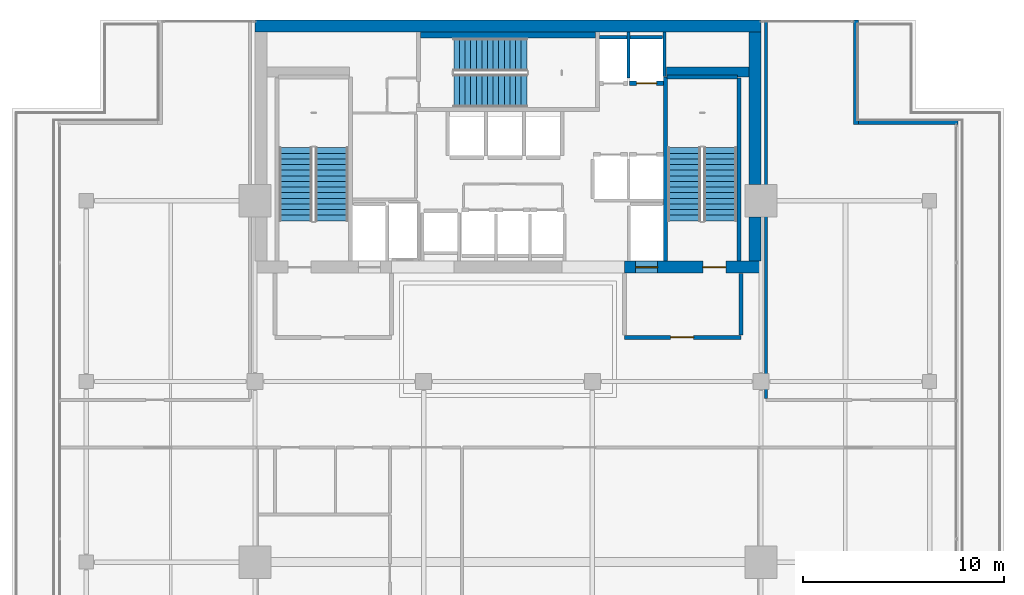
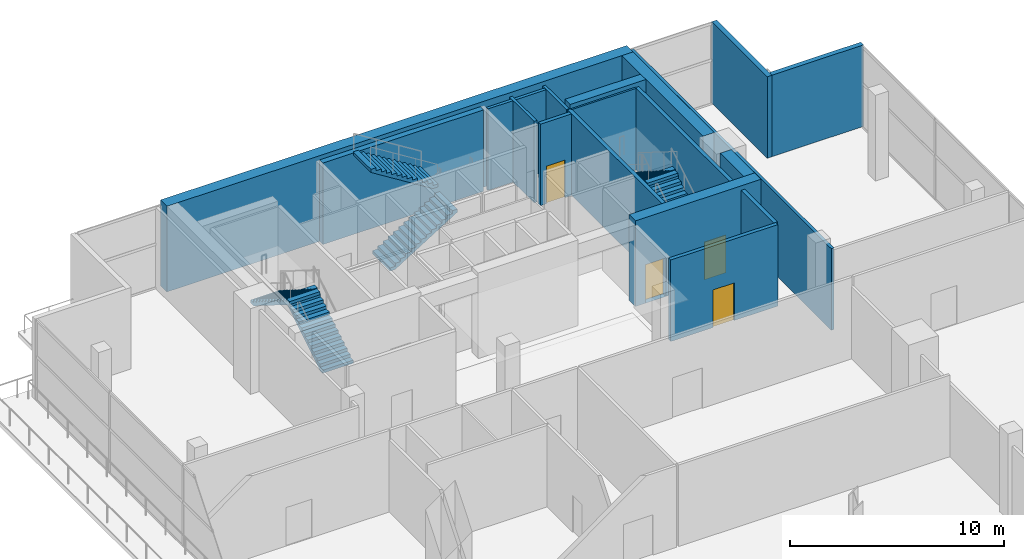
# One storey, part 24 of 28: 18 walls, 6 stair flights, 4 doors, 4 openings, 3 elements without a shape of their own.
"""IFC4 building model written with IfcOpenShell, lengths in metres."""

from ifc_helpers import new_model, si_unit, direction, frame, frame_2d, origin, place, context, subcontext, project, spatial, polyline, rectangle, outline, extrude, material, layer, layer_set, type_object, element, fill, aggregate, save


model = new_model("IFC4")

# Units and contexts
model_context = context("Model", 3, precision=1e-05, world=origin(), true_north=direction((0.0, 1.0)))
body_context = subcontext(model_context, "Body", "Model", "MODEL_VIEW")
ifc_project = project(units=[si_unit("LENGTHUNIT", "METRE"), si_unit("AREAUNIT", "SQUARE_METRE"), si_unit("VOLUMEUNIT", "CUBIC_METRE"), si_unit("PLANEANGLEUNIT", "RADIAN"), si_unit("MASSUNIT", "GRAM", prefix="KILO")], contexts=[model_context])

# Site, building, storey
site_placement = place(None, origin())
site = spatial("IfcSite", under=ifc_project, at=site_placement, CompositionType="ELEMENT")
building_placement = place(site_placement, origin())
building = spatial("IfcBuilding", under=site, at=building_placement, Name="Maruvema Waterfront Hotel and Observation Tower", CompositionType="ELEMENT")
storey_placement = place(building_placement, frame((0.0, 0.0, 234.5)))
storey = spatial("IfcBuildingStorey", under=building, at=storey_placement, Name="L57", CompositionType="ELEMENT", Elevation=234.5)

# Walls
ifc_material_1 = material(Name="Twin-stud acoustic gypsum drywall", Category="gypsum")
ifc_layer_1 = layer(ifc_material_1, 0.14990234375, Name="Acoustic Corridor and Suite Demising Wall 150 mm")
ifc_layer_set_1 = layer_set([ifc_layer_1], Name="Twin-stud acoustic gypsum drywall")
wall_type_1 = type_object("IfcWallType", Name="Acoustic Corridor and Suite Demising Wall 150 mm", PredefinedType="PARTITIONING", material=ifc_layer_set_1)
wall_1_placement = place(storey_placement, frame((50.64990234375, 35.139892578125, 0.0), z_axis=(0.0, 0.0, 1.0), x_axis=(0.0, 1.0, 0.0)))
element("IfcWall", 1, at=wall_1_placement, inside=storey, type_object=wall_type_1, Name="L57 L57 Pastry West 037", PredefinedType="PARTITIONING", context=body_context, shape_type="SweptSolid", body=[
    extrude(rectangle(XDim=18.780029296875, YDim=0.14990234375, at=frame_2d((9.39013671875, 0.0))), origin(), (0.0, 0.0, 1.0), 4.659912109375),
])
ifc_material_2 = material(Name="Precast concrete C45/55", Category="concrete")
ifc_layer_2 = layer(ifc_material_2, 0.300048828125, Name="Core Shaft Furring Wall 300 mm")
ifc_layer_set_2 = layer_set([ifc_layer_2], Name="Precast concrete C45/55")
wall_type_2 = type_object("IfcWallType", Name="Core Shaft Furring Wall 300 mm", PredefinedType="SOLIDWALL", material=ifc_layer_set_2)
wall_2_placement = place(storey_placement, frame((33.449951171875, 53.25, 0.0), z_axis=(0.0, 0.0, 1.0), x_axis=(1.0, 0.0, 0.0)))
element("IfcWall", 2, at=wall_2_placement, inside=storey, type_object=wall_type_2, Name="L57 Stairwell ST-02 North Furring Wall", PredefinedType="SOLIDWALL", context=body_context, shape_type="SweptSolid", body=[
    extrude(rectangle(XDim=8.699951171875, YDim=0.300048828125, at=frame_2d((4.35009765625, 0.0))), origin(), (0.0, 0.0, 1.0), 4.659912109375),
])
ifc_material_3 = material(Name="Precast concrete C45/55", Category="concrete")
ifc_layer_3 = layer(ifc_material_3, 0.199951171875, Name="Core Shaft and Stairwell Enclosure Wall 200 mm")
ifc_layer_set_3 = layer_set([ifc_layer_3], Name="Precast concrete C45/55")
wall_type_3 = type_object("IfcWallType", Name="Core Shaft and Stairwell Enclosure Wall 200 mm", PredefinedType="SOLIDWALL", material=ifc_layer_set_3)
wall_3_placement = place(storey_placement, frame((45.64990234375, 42.0, 0.0), z_axis=(0.0, 0.0, 1.0), x_axis=(0.0, 1.0, 0.0)))
element("IfcWall", 3, at=wall_3_placement, inside=storey, type_object=wall_type_3, Name="L57 Stairwell ST-03 West Shaft Wall", PredefinedType="SOLIDWALL", context=body_context, shape_type="SweptSolid", body=[
    extrude(rectangle(XDim=9.14990234375, YDim=0.199951171875, at=frame_2d((4.574951171875, 0.0))), origin(), (0.0, 0.0, 1.0), 4.659912109375),
])
wall_4_placement = place(storey_placement, frame((49.300048828125, 42.0, 0.0), z_axis=(0.0, 0.0, 1.0), x_axis=(0.0, 1.0, 0.0)))
element("IfcWall", 4, at=wall_4_placement, inside=storey, type_object=wall_type_3, Name="L57 Stairwell ST-03 Shaft Lining Wall", PredefinedType="SOLIDWALL", context=body_context, shape_type="SweptSolid", body=[
    extrude(rectangle(XDim=9.1201171875, YDim=0.199951171875, at=frame_2d((4.56005859375, 0.0))), origin(), (0.0, 0.0, 1.0), 4.659912109375),
])
wall_5_placement = place(storey_placement, frame((45.719970703125, 51.14990234375, 0.0), z_axis=(0.0, 0.0, 1.0), x_axis=(1.0, 0.0, 0.0)))
element("IfcWall", 5, at=wall_5_placement, inside=storey, type_object=wall_type_3, Name="L57 Stairwell ST-03 Shaft Lining Wall", PredefinedType="SOLIDWALL", context=body_context, shape_type="SweptSolid", body=[
    extrude(rectangle(XDim=3.5, YDim=0.199951171875, at=frame_2d((1.75, 0.0))), origin(), (0.0, 0.0, 1.0), 4.659912109375),
])

# Wall, opening, door
wall_6_placement = place(storey_placement, frame((43.860107421875, 50.85009765625, 0.0), z_axis=(0.0, 0.0, 1.0), x_axis=(1.0, 0.0, 0.0)))
wall_6 = element("IfcWall", 6, at=wall_6_placement, inside=storey, type_object=wall_type_3, Name="L57 Lift LF-08 Hoistway Front Wall", PredefinedType="SOLIDWALL", context=body_context, shape_type="SweptSolid", body=[
    extrude(rectangle(XDim=1.679931640625, YDim=0.199951171875, at=frame_2d((0.83984375, 0.0))), origin(), (0.0, 0.0, 1.0), 4.659912109375),
])
opening_1_placement = place(wall_6_placement, frame((0.340087890625, 0.0, 0.0)))
opening_1 = element("IfcOpeningElement", 7, at=opening_1_placement, cuts=wall_6, Name="Opening LD-01", PredefinedType="OPENING", context=body_context, shape_type="SweptSolid", body=[
    extrude(rectangle(XDim=1.0, YDim=2.14990234375, at=frame_2d((0.5, 1.074951171875))), frame((0.0, 0.10986328125, 0.0), z_axis=(0.0, -1.0, 0.0), x_axis=(1.0, 0.0, 0.0)), (0.0, 0.0, 1.0), 0.219970703125),
])
ifc_material_4 = material(Name="Brushed stainless steel Grade 316", Category="steel")
door_type_1 = type_object("IfcDoorType", Name="Passenger Lift Sliding Landing Door 1000x2150 mm", OperationType="SLIDING_TO_LEFT", PredefinedType="DOOR", material=ifc_material_4)
door_1_placement = place(opening_1_placement, frame((1.0, 0.0, 0.0), z_axis=(0.0, 0.0, 1.0), x_axis=(-1.0, 0.0, 0.0)))
door_1 = element("IfcDoor", 8, at=door_1_placement, inside=storey, type_object=door_type_1, Name="L57 Lift LF-08 Sliding Landing Door", OperationType="SLIDING_TO_LEFT", OverallHeight=2.14990234375, OverallWidth=1.0, PredefinedType="DOOR", context=body_context, shape_type="SweptSolid", body=[
    extrude(rectangle(XDim=1.0, YDim=2.14990234375, at=frame_2d((0.5, 1.074951171875))), frame((0.0, 0.02490234375, 0.0), z_axis=(0.0, -1.0, 0.0), x_axis=(1.0, 0.0, 0.0)), (0.0, 0.0, 1.0), 0.050048828125),
])
fill(opening_1, door_1)

# Walls
ifc_material_5 = material(Name="Concrete C70/85", Category="concrete")
ifc_layer_4 = layer(ifc_material_5, 0.5, Name="Core Shear Wall 500 mm")
ifc_layer_set_4 = layer_set([ifc_layer_4], Name="Concrete C70/85")
wall_type_4 = type_object("IfcWallType", Name="Core Shear Wall 500 mm", PredefinedType="SHEAR", material=ifc_layer_set_4)
wall_7_placement = place(storey_placement, frame((45.699951171875, 51.39990234375, 0.0), z_axis=(0.0, 0.0, 1.0), x_axis=(1.0, 0.0, 0.0)))
element("IfcWall", 9, at=wall_7_placement, inside=storey, type_object=wall_type_4, Name="L57 Internal Core Shear Wall NE 500 mm", PredefinedType="SHEAR", context=body_context, shape_type="SweptSolid", body=[
    extrude(rectangle(XDim=4.10009765625, YDim=0.5, at=frame_2d((2.050048828125, 0.0))), origin(), (0.0, 0.0, 1.0), 4.89990234375),
])
ifc_material_6 = material(Name="Concrete C60/75", Category="concrete")
ifc_layer_5 = layer(ifc_material_6, 0.60009765625, Name="Core Shear Wall 600 mm")
ifc_layer_set_5 = layer_set([ifc_layer_5], Name="Concrete C60/75")
wall_type_5 = type_object("IfcWallType", Name="Core Shear Wall 600 mm", PredefinedType="SHEAR", material=ifc_layer_set_5)
wall_8_placement = place(storey_placement, frame((25.199951171875, 53.699951171875, 0.0), z_axis=(0.0, 0.0, 1.0), x_axis=(1.0, 0.0, 0.0)))
element("IfcWall", 10, at=wall_8_placement, inside=storey, type_object=wall_type_5, Name="L57 North Core Shear Wall", PredefinedType="SHEAR", context=body_context, shape_type="SweptSolid", body=[
    extrude(rectangle(XDim=25.199951171875, YDim=0.60009765625, at=frame_2d((12.60009765625, 0.0))), origin(), (0.0, 0.0, 1.0), 4.89990234375),
])

# Wall, openings, doors
wall_9_placement = place(storey_placement, frame((43.60009765625, 41.699951171875, 0.0), z_axis=(0.0, 0.0, 1.0), x_axis=(1.0, 0.0, 0.0)))
wall_9 = element("IfcWall", 11, at=wall_9_placement, inside=storey, type_object=wall_type_5, Name="L57 South-East Core Shear Wall", PredefinedType="SHEAR", context=body_context, shape_type="SweptSolid", body=[
    extrude(rectangle(XDim=6.7998046875, YDim=0.60009765625, at=frame_2d((3.39990234375, 0.0))), origin(), (0.0, 0.0, 1.0), 4.89990234375),
])
opening_2_placement = place(wall_9_placement, frame((3.89990234375, 0.0, 0.0)))
opening_2 = element("IfcOpeningElement", 12, at=opening_2_placement, cuts=wall_9, Name="Opening SD-01", PredefinedType="OPENING", context=body_context, shape_type="SweptSolid", body=[
    extrude(rectangle(XDim=1.14990234375, YDim=2.14990234375, at=frame_2d((0.574951171875, 1.074951171875))), frame((0.0, 0.31005859375, 0.0), z_axis=(0.0, -1.0, 0.0), x_axis=(1.0, 0.0, 0.0)), (0.0, 0.0, 1.0), 0.6201171875),
])
opening_3_placement = place(wall_9_placement, frame((0.550048828125, 0.0, 0.0)))
opening_3 = element("IfcOpeningElement", 13, at=opening_3_placement, cuts=wall_9, Name="Opening LD-03", PredefinedType="OPENING", context=body_context, shape_type="SweptSolid", body=[
    extrude(rectangle(XDim=1.10009765625, YDim=2.199951171875, at=frame_2d((0.550048828125, 1.10009765625))), frame((0.0, 0.31005859375, 0.0), z_axis=(0.0, -1.0, 0.0), x_axis=(1.0, 0.0, 0.0)), (0.0, 0.0, 1.0), 0.6201171875),
])
ifc_material_7 = material(Name="Fire-rated galvanised steel leaf", Category="steel")
door_type_2 = type_object("IfcDoorType", Name="Exit Stair Fire Door 1150x2150 mm", OperationType="NOTDEFINED", PredefinedType="DOOR", material=ifc_material_7)
door_2_placement = place(opening_2_placement, origin())
door_2 = element("IfcDoor", 14, at=door_2_placement, inside=storey, type_object=door_type_2, Name="L57 Exit Stair ST-03 Fire Door", OperationType="SINGLE_SWING_RIGHT", OverallHeight=2.14990234375, OverallWidth=1.14990234375, PredefinedType="DOOR", context=body_context, shape_type="SweptSolid", body=[
    extrude(rectangle(XDim=1.14990234375, YDim=2.14990234375, at=frame_2d((0.574951171875, 1.074951171875))), frame((0.0, 0.02490234375, 0.0), z_axis=(0.0, -1.0, 0.0), x_axis=(1.0, 0.0, 0.0)), (0.0, 0.0, 1.0), 0.050048828125),
])
fill(opening_2, door_2)
ifc_material_8 = material(Name="Brushed stainless steel Grade 316", Category="steel")
door_type_3 = type_object("IfcDoorType", Name="Firefighting Lift Sliding Landing Door 1100x2200 mm", OperationType="SLIDING_TO_LEFT", PredefinedType="DOOR", material=ifc_material_8)
door_3_placement = place(opening_3_placement, frame((1.10009765625, 0.0, 0.0), z_axis=(0.0, 0.0, 1.0), x_axis=(-1.0, 0.0, 0.0)))
door_3 = element("IfcDoor", 15, at=door_3_placement, inside=storey, type_object=door_type_3, Name="L57 Firefighting Lift FL-02 Landing Door", OperationType="SLIDING_TO_LEFT", OverallHeight=2.199951171875, OverallWidth=1.10009765625, PredefinedType="DOOR", context=body_context, shape_type="SweptSolid", body=[
    extrude(rectangle(XDim=1.10009765625, YDim=2.199951171875, at=frame_2d((0.550048828125, 1.10009765625))), frame((0.0, 0.02490234375, 0.0), z_axis=(0.0, -1.0, 0.0), x_axis=(1.0, 0.0, 0.0)), (0.0, 0.0, 1.0), 0.050048828125),
])
fill(opening_3, door_3)

# Walls
wall_10_placement = place(storey_placement, frame((50.10009765625, 42.0, 0.0), z_axis=(0.0, 0.0, 1.0), x_axis=(0.0, 1.0, 0.0)))
element("IfcWall", 16, at=wall_10_placement, inside=storey, type_object=wall_type_5, Name="L57 East-South Core Shear Wall", PredefinedType="SHEAR", context=body_context, shape_type="SweptSolid", body=[
    extrude(rectangle(XDim=2.199951171875, YDim=0.60009765625, at=frame_2d((1.10009765625, 0.0))), origin(), (0.0, 0.0, 1.0), 4.89990234375),
])
wall_11_placement = place(storey_placement, frame((50.10009765625, 45.800048828125, 0.0), z_axis=(0.0, 0.0, 1.0), x_axis=(0.0, 1.0, 0.0)))
element("IfcWall", 17, at=wall_11_placement, inside=storey, type_object=wall_type_5, Name="L57 East-North Core Shear Wall", PredefinedType="SHEAR", context=body_context, shape_type="SweptSolid", body=[
    extrude(rectangle(XDim=7.599853515625, YDim=0.60009765625, at=frame_2d((3.7998046875, 0.0))), origin(), (0.0, 0.0, 1.0), 4.89990234375),
])
ifc_material_9 = material(Name="Precast concrete C45/55 with honed Pernambuco granite facing", Category="masonry")
ifc_layer_6 = layer(ifc_material_9, 0.260009765625, Name="Exterior Granite Clad Spandrel and Pier Wall 260 mm")
ifc_layer_set_6 = layer_set([ifc_layer_6], Name="Precast concrete C45/55 with honed Pernambuco granite facing")
wall_type_6 = type_object("IfcWallType", Name="Exterior Granite Clad Spandrel and Pier Wall 260 mm", PredefinedType="SOLIDWALL", material=ifc_layer_set_6)
for number, where, z_axis, x_axis, name in (
    (18, (55.1298828125, 54.0, 0.0), (0.0, 0.0, 1.0), (0.0, -1.0, 0.0), "L57 Corner Notch Granite Pier Wall NE1"),
    (19, (55.0, 48.929931640625, 0.0), (0.0, 0.0, 1.0), (1.0, 0.0, 0.0), "L57 Corner Notch Granite Pier Wall NE2"),
):
    element("IfcWall", number, at=place(storey_placement, frame(where, z_axis=z_axis, x_axis=x_axis)), inside=storey, type_object=wall_type_6, Name=name, PredefinedType="SOLIDWALL", context=body_context, shape_type="SweptSolid", body=[
        extrude(rectangle(XDim=5.199951171875, YDim=0.260009765625, at=frame_2d((2.60009765625, 0.0))), origin(), (0.0, 0.0, 1.0), 4.659912109375),
    ])

# Wall, opening, door
ifc_material_10 = material(Name="Autoclaved cellular concrete blockwork", Category="masonry")
ifc_layer_7 = layer(ifc_material_10, 0.199951171875, Name="Fire Compartment Masonry Wall 200 mm")
ifc_layer_set_7 = layer_set([ifc_layer_7], Name="Autoclaved cellular concrete blockwork")
wall_type_7 = type_object("IfcWallType", Name="Fire Compartment Masonry Wall 200 mm", PredefinedType="PARTITIONING", material=ifc_layer_set_7)
wall_12_placement = place(storey_placement, frame((43.60009765625, 38.199951171875, 0.0), z_axis=(0.0, 0.0, 1.0), x_axis=(1.0, 0.0, 0.0)))
wall_12 = element("IfcWall", 20, at=wall_12_placement, inside=storey, type_object=wall_type_7, Name="L57 FFL East South Wall 004", PredefinedType="PARTITIONING", context=body_context, shape_type="SweptSolid", body=[
    extrude(rectangle(XDim=5.7998046875, YDim=0.199951171875, at=frame_2d((2.89990234375, 0.0))), origin(), (0.0, 0.0, 1.0), 4.659912109375),
])
opening_4_placement = place(wall_12_placement, frame((2.300048828125, 0.0, 0.0)))
opening_4 = element("IfcOpeningElement", 21, at=opening_4_placement, cuts=wall_12, Name="Opening FD-115", PredefinedType="OPENING", context=body_context, shape_type="SweptSolid", body=[
    extrude(rectangle(XDim=1.14990234375, YDim=2.14990234375, at=frame_2d((0.574951171875, 1.074951171875))), frame((0.0, 0.10986328125, 0.0), z_axis=(0.0, -1.0, 0.0), x_axis=(1.0, 0.0, 0.0)), (0.0, 0.0, 1.0), 0.219970703125),
])
ifc_material_11 = material(Name="Fire-rated galvanised steel and vision glass", Category="steel")
door_type_4 = type_object("IfcDoorType", Name="Firefighting Lobby Fire Door 1150x2150 mm", OperationType="NOTDEFINED", PredefinedType="DOOR", material=ifc_material_11)
door_4_placement = place(opening_4_placement, frame((1.14990234375, 0.0, 0.0), z_axis=(0.0, 0.0, 1.0), x_axis=(-1.0, 0.0, 0.0)))
door_4 = element("IfcDoor", 22, at=door_4_placement, inside=storey, type_object=door_type_4, Name="L57 Firefighting Lobby East Door", OperationType="SINGLE_SWING_RIGHT", OverallHeight=2.14990234375, OverallWidth=1.14990234375, PredefinedType="DOOR", context=body_context, shape_type="SweptSolid", body=[
    extrude(rectangle(XDim=1.14990234375, YDim=2.14990234375, at=frame_2d((0.574951171875, 1.074951171875))), frame((0.0, 0.02490234375, 0.0), z_axis=(0.0, -1.0, 0.0), x_axis=(1.0, 0.0, 0.0)), (0.0, 0.0, 1.0), 0.050048828125),
])
fill(opening_4, door_4)

# Walls
wall_13_placement = place(storey_placement, frame((49.39990234375, 38.31005859375, 0.0), z_axis=(0.0, 0.0, 1.0), x_axis=(0.0, 1.0, 0.0)))
element("IfcWall", 23, at=wall_13_placement, inside=storey, type_object=wall_type_7, Name="L57 FFL East East Wall 006", PredefinedType="PARTITIONING", context=body_context, shape_type="SweptSolid", body=[
    extrude(rectangle(XDim=3.06982421875, YDim=0.199951171875, at=frame_2d((1.534912109375, 0.0))), origin(), (0.0, 0.0, 1.0), 4.659912109375),
])
ifc_material_12 = material(Name="Precast concrete C45/55", Category="concrete")
ifc_layer_8 = layer(ifc_material_12, 0.159912109375, Name="Lift Hoistway Divider Wall 160 mm")
ifc_layer_set_8 = layer_set([ifc_layer_8], Name="Precast concrete C45/55")
wall_type_8 = type_object("IfcWallType", Name="Lift Hoistway Divider Wall 160 mm", PredefinedType="SOLIDWALL", material=ifc_layer_set_8)
wall_14_placement = place(storey_placement, frame((45.590087890625, 51.179931640625, 0.0), z_axis=(0.0, 0.0, 1.0), x_axis=(0.0, 1.0, 0.0)))
element("IfcWall", 24, at=wall_14_placement, inside=storey, type_object=wall_type_8, Name="L57 Hoistway Divider Wall", PredefinedType="SOLIDWALL", context=body_context, shape_type="SweptSolid", body=[
    extrude(rectangle(XDim=2.219970703125, YDim=0.159912109375, at=frame_2d((1.10986328125, 0.0))), origin(), (0.0, 0.0, 1.0), 4.659912109375),
])
wall_15_placement = place(storey_placement, frame((43.800048828125, 51.10009765625, 0.0), z_axis=(0.0, 0.0, 1.0), x_axis=(0.0, 1.0, 0.0)))
element("IfcWall", 25, at=wall_15_placement, inside=storey, type_object=wall_type_8, Name="L57 Hoistway Divider Wall", PredefinedType="SOLIDWALL", context=body_context, shape_type="SweptSolid", body=[
    extrude(rectangle(XDim=2.2998046875, YDim=0.159912109375, at=frame_2d((1.14990234375, 0.0))), origin(), (0.0, 0.0, 1.0), 4.659912109375),
])
wall_16_placement = place(storey_placement, frame((42.360107421875, 53.139892578125, 0.0), z_axis=(0.0, 0.0, 1.0), x_axis=(1.0, 0.0, 0.0)))
element("IfcWall", 26, at=wall_16_placement, inside=storey, type_object=wall_type_8, Name="L57 Hoistway Divider Wall", PredefinedType="SOLIDWALL", context=body_context, shape_type="SweptSolid", body=[
    extrude(rectangle(XDim=3.139892578125, YDim=0.159912109375, at=frame_2d((1.56982421875, 0.0))), origin(), (0.0, 0.0, 1.0), 4.659912109375),
])

# Stair, stair flights
ifc_material_13 = material(Name="Concrete C50/60", Category="concrete")
stair_type = type_object("IfcStairType", Name="Dogleg Exit Stair 1650 mm (28R x 175.0 mm)", PredefinedType="HALF_TURN_STAIR", material=ifc_material_13)
stair_1_placement = place(storey_placement, origin())
stair_1 = element("IfcStair", 27, at=stair_1_placement, inside=storey, type_object=stair_type, Name="L57 ST-01", PredefinedType="HALF_TURN_STAIR")
ifc_material_14 = material(Name="Concrete C50/60", Category="concrete")
stair_flight_type = type_object("IfcStairFlightType", Name="Reinforced Concrete Stair Flight 1650 mm (14R x 175.0 mm)", PredefinedType="STRAIGHT", material=ifc_material_14)
stair_flight_1_placement = place(storey_placement, frame((29.02490234375, 44.0, 0.0), z_axis=(0.0, 0.0, 1.0), x_axis=(0.0, 1.0, 0.0)))
stair_flight_1 = element("IfcStairFlight", 28, at=stair_flight_1_placement, type_object=stair_flight_type, Name="ST-01 flight 1", NumberOfRisers=14, NumberOfTreads=13, PredefinedType="STRAIGHT", RiserHeight=0.175, TreadLength=0.28, context=body_context, shape_type="SweptSolid", body=[
    extrude(outline(polyline([(0.0, 0.0), (0.0, 0.175048828125), (0.280029296875, 0.175048828125), (0.280029296875, 0.35009765625), (0.56005859375, 0.35009765625), (0.56005859375, 0.52490234375), (0.840087890625, 0.52490234375), (0.840087890625, 0.699951171875), (1.1201171875, 0.699951171875), (1.1201171875, 0.875), (1.39990234375, 0.875), (1.39990234375, 1.050048828125), (1.679931640625, 1.050048828125), (1.679931640625, 1.22509765625), (1.9599609375, 1.22509765625), (1.9599609375, 1.39990234375), (2.239990234375, 1.39990234375), (2.239990234375, 1.574951171875), (2.52001953125, 1.574951171875), (2.52001953125, 1.75), (2.800048828125, 1.75), (2.800048828125, 1.925048828125), (3.080078125, 1.925048828125), (3.080078125, 2.10009765625), (3.360107421875, 2.10009765625), (3.360107421875, 2.27490234375), (3.639892578125, 2.27490234375), (3.639892578125, 2.449951171875), (3.639892578125, 2.09814453125), (0.28271484375, 0.0), (0.0, 0.0)])), frame((0.0, 0.824951171875, 0.0), z_axis=(0.0, -1.0, 0.0), x_axis=(1.0, 0.0, 0.0)), (0.0, 0.0, 1.0), 1.64990234375),
])
stair_flight_2_placement = place(storey_placement, frame((27.22509765625, 47.639892578125, 2.449951171875), z_axis=(0.0, 0.0, 1.0), x_axis=(0.0, -1.0, 0.0)))
stair_flight_2 = element("IfcStairFlight", 29, at=stair_flight_2_placement, type_object=stair_flight_type, Name="ST-01 flight 2", NumberOfRisers=14, NumberOfTreads=13, PredefinedType="STRAIGHT", RiserHeight=0.175, TreadLength=0.28, context=body_context, shape_type="SweptSolid", body=[
    extrude(outline(polyline([(0.0, 0.0), (0.0, 0.175048828125), (0.280029296875, 0.175048828125), (0.280029296875, 0.35009765625), (0.56005859375, 0.35009765625), (0.56005859375, 0.52490234375), (0.840087890625, 0.52490234375), (0.840087890625, 0.699951171875), (1.1201171875, 0.699951171875), (1.1201171875, 0.875), (1.39990234375, 0.875), (1.39990234375, 1.050048828125), (1.679931640625, 1.050048828125), (1.679931640625, 1.22509765625), (1.9599609375, 1.22509765625), (1.9599609375, 1.39990234375), (2.239990234375, 1.39990234375), (2.239990234375, 1.574951171875), (2.52001953125, 1.574951171875), (2.52001953125, 1.75), (2.800048828125, 1.75), (2.800048828125, 1.925048828125), (3.080078125, 1.925048828125), (3.080078125, 2.10009765625), (3.360107421875, 2.10009765625), (3.360107421875, 2.27490234375), (3.639892578125, 2.27490234375), (3.639892578125, 2.449951171875), (3.639892578125, 2.09814453125), (0.28271484375, 0.0), (0.0, 0.0)])), frame((0.0, 0.824951171875, 0.0), z_axis=(0.0, -1.0, 0.0), x_axis=(1.0, 0.0, 0.0)), (0.0, 0.0, 1.0), 1.64990234375),
])
aggregate(stair_1, [stair_flight_1, stair_flight_2])

stair_2_placement = place(storey_placement, origin())
stair_2 = element("IfcStair", 30, at=stair_2_placement, inside=storey, type_object=stair_type, Name="L57 ST-02", PredefinedType="HALF_TURN_STAIR")
stair_flight_3_placement = place(storey_placement, frame((35.10009765625, 50.47509765625, 0.0), z_axis=(0.0, 0.0, 1.0), x_axis=(1.0, 0.0, 0.0)))
stair_flight_3 = element("IfcStairFlight", 31, at=stair_flight_3_placement, type_object=stair_flight_type, Name="ST-02 flight 1", NumberOfRisers=14, NumberOfTreads=13, PredefinedType="STRAIGHT", RiserHeight=0.175, TreadLength=0.28, context=body_context, shape_type="SweptSolid", body=[
    extrude(outline(polyline([(0.0, 0.0), (0.0, 0.175048828125), (0.280029296875, 0.175048828125), (0.280029296875, 0.35009765625), (0.56005859375, 0.35009765625), (0.56005859375, 0.52490234375), (0.840087890625, 0.52490234375), (0.840087890625, 0.699951171875), (1.1201171875, 0.699951171875), (1.1201171875, 0.875), (1.39990234375, 0.875), (1.39990234375, 1.050048828125), (1.679931640625, 1.050048828125), (1.679931640625, 1.22509765625), (1.9599609375, 1.22509765625), (1.9599609375, 1.39990234375), (2.239990234375, 1.39990234375), (2.239990234375, 1.574951171875), (2.52001953125, 1.574951171875), (2.52001953125, 1.75), (2.800048828125, 1.75), (2.800048828125, 1.925048828125), (3.080078125, 1.925048828125), (3.080078125, 2.10009765625), (3.360107421875, 2.10009765625), (3.360107421875, 2.27490234375), (3.639892578125, 2.27490234375), (3.639892578125, 2.449951171875), (3.639892578125, 2.09814453125), (0.28271484375, 0.0), (0.0, 0.0)])), frame((0.0, 0.824951171875, 0.0), z_axis=(0.0, -1.0, 0.0), x_axis=(1.0, 0.0, 0.0)), (0.0, 0.0, 1.0), 1.64990234375),
])
stair_flight_4_placement = place(storey_placement, frame((38.739990234375, 52.27490234375, 2.449951171875), z_axis=(0.0, 0.0, 1.0), x_axis=(-1.0, 0.0, 0.0)))
stair_flight_4 = element("IfcStairFlight", 32, at=stair_flight_4_placement, type_object=stair_flight_type, Name="ST-02 flight 2", NumberOfRisers=14, NumberOfTreads=13, PredefinedType="STRAIGHT", RiserHeight=0.175, TreadLength=0.28, context=body_context, shape_type="SweptSolid", body=[
    extrude(outline(polyline([(0.0, 0.0), (0.0, 0.175048828125), (0.280029296875, 0.175048828125), (0.280029296875, 0.35009765625), (0.56005859375, 0.35009765625), (0.56005859375, 0.52490234375), (0.840087890625, 0.52490234375), (0.840087890625, 0.699951171875), (1.1201171875, 0.699951171875), (1.1201171875, 0.875), (1.39990234375, 0.875), (1.39990234375, 1.050048828125), (1.679931640625, 1.050048828125), (1.679931640625, 1.22509765625), (1.9599609375, 1.22509765625), (1.9599609375, 1.39990234375), (2.239990234375, 1.39990234375), (2.239990234375, 1.574951171875), (2.52001953125, 1.574951171875), (2.52001953125, 1.75), (2.800048828125, 1.75), (2.800048828125, 1.925048828125), (3.080078125, 1.925048828125), (3.080078125, 2.10009765625), (3.360107421875, 2.10009765625), (3.360107421875, 2.27490234375), (3.639892578125, 2.27490234375), (3.639892578125, 2.449951171875), (3.639892578125, 2.09814453125), (0.28271484375, 0.0), (0.0, 0.0)])), frame((0.0, 0.824951171875, 0.0), z_axis=(0.0, -1.0, 0.0), x_axis=(1.0, 0.0, 0.0)), (0.0, 0.0, 1.0), 1.64990234375),
])
aggregate(stair_2, [stair_flight_3, stair_flight_4])

stair_3_placement = place(storey_placement, origin())
stair_3 = element("IfcStair", 33, at=stair_3_placement, inside=storey, type_object=stair_type, Name="L57 ST-03", PredefinedType="HALF_TURN_STAIR")
stair_flight_5_placement = place(storey_placement, frame((48.375, 44.0, 0.0), z_axis=(0.0, 0.0, 1.0), x_axis=(0.0, 1.0, 0.0)))
stair_flight_5 = element("IfcStairFlight", 34, at=stair_flight_5_placement, type_object=stair_flight_type, Name="ST-03 flight 1", NumberOfRisers=14, NumberOfTreads=13, PredefinedType="STRAIGHT", RiserHeight=0.175, TreadLength=0.28, context=body_context, shape_type="SweptSolid", body=[
    extrude(outline(polyline([(0.0, 0.0), (0.0, 0.175048828125), (0.280029296875, 0.175048828125), (0.280029296875, 0.35009765625), (0.56005859375, 0.35009765625), (0.56005859375, 0.52490234375), (0.840087890625, 0.52490234375), (0.840087890625, 0.699951171875), (1.1201171875, 0.699951171875), (1.1201171875, 0.875), (1.39990234375, 0.875), (1.39990234375, 1.050048828125), (1.679931640625, 1.050048828125), (1.679931640625, 1.22509765625), (1.9599609375, 1.22509765625), (1.9599609375, 1.39990234375), (2.239990234375, 1.39990234375), (2.239990234375, 1.574951171875), (2.52001953125, 1.574951171875), (2.52001953125, 1.75), (2.800048828125, 1.75), (2.800048828125, 1.925048828125), (3.080078125, 1.925048828125), (3.080078125, 2.10009765625), (3.360107421875, 2.10009765625), (3.360107421875, 2.27490234375), (3.639892578125, 2.27490234375), (3.639892578125, 2.449951171875), (3.639892578125, 2.09814453125), (0.28271484375, 0.0), (0.0, 0.0)])), frame((0.0, 0.824951171875, 0.0), z_axis=(0.0, -1.0, 0.0), x_axis=(1.0, 0.0, 0.0)), (0.0, 0.0, 1.0), 1.64990234375),
])
stair_flight_6_placement = place(storey_placement, frame((46.574951171875, 47.639892578125, 2.449951171875), z_axis=(0.0, 0.0, 1.0), x_axis=(0.0, -1.0, 0.0)))
stair_flight_6 = element("IfcStairFlight", 35, at=stair_flight_6_placement, type_object=stair_flight_type, Name="ST-03 flight 2", NumberOfRisers=14, NumberOfTreads=13, PredefinedType="STRAIGHT", RiserHeight=0.175, TreadLength=0.28, context=body_context, shape_type="SweptSolid", body=[
    extrude(outline(polyline([(0.0, 0.0), (0.0, 0.175048828125), (0.280029296875, 0.175048828125), (0.280029296875, 0.35009765625), (0.56005859375, 0.35009765625), (0.56005859375, 0.52490234375), (0.840087890625, 0.52490234375), (0.840087890625, 0.699951171875), (1.1201171875, 0.699951171875), (1.1201171875, 0.875), (1.39990234375, 0.875), (1.39990234375, 1.050048828125), (1.679931640625, 1.050048828125), (1.679931640625, 1.22509765625), (1.9599609375, 1.22509765625), (1.9599609375, 1.39990234375), (2.239990234375, 1.39990234375), (2.239990234375, 1.574951171875), (2.52001953125, 1.574951171875), (2.52001953125, 1.75), (2.800048828125, 1.75), (2.800048828125, 1.925048828125), (3.080078125, 1.925048828125), (3.080078125, 2.10009765625), (3.360107421875, 2.10009765625), (3.360107421875, 2.27490234375), (3.639892578125, 2.27490234375), (3.639892578125, 2.449951171875), (3.639892578125, 2.09814453125), (0.28271484375, 0.0), (0.0, 0.0)])), frame((0.0, 0.824951171875, 0.0), z_axis=(0.0, -1.0, 0.0), x_axis=(1.0, 0.0, 0.0)), (0.0, 0.0, 1.0), 1.64990234375),
])
aggregate(stair_3, [stair_flight_5, stair_flight_6])

save(model, "model.ifc")
